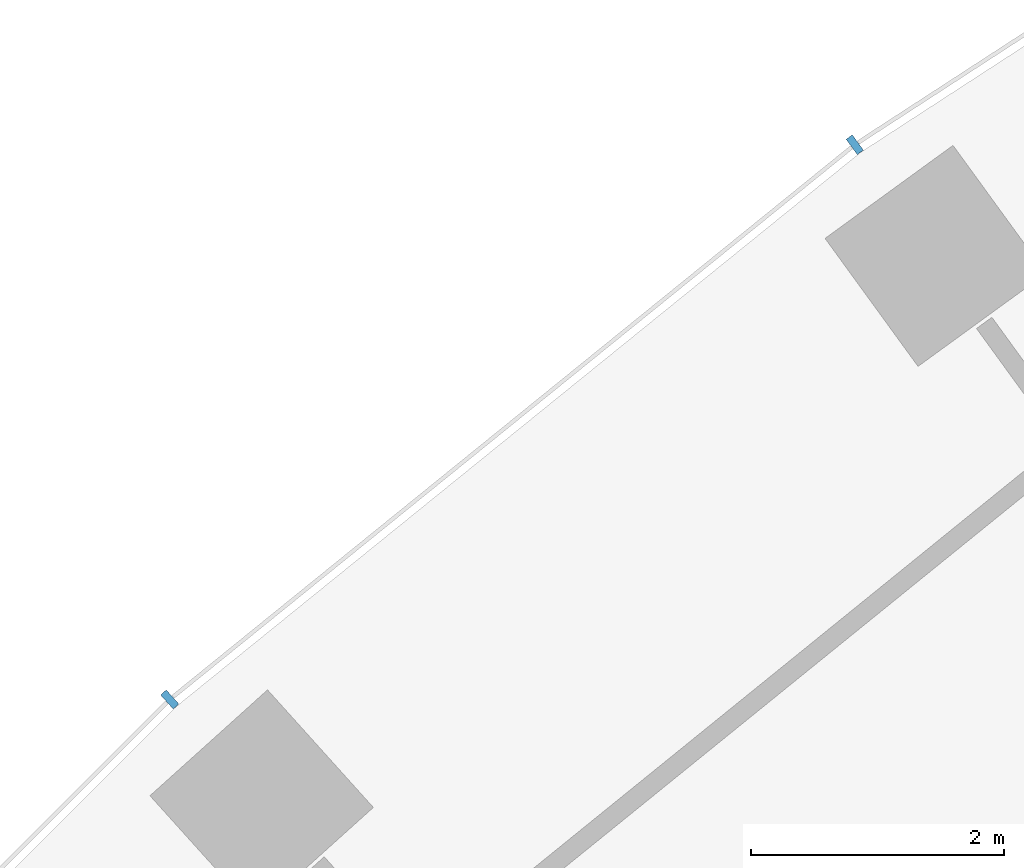
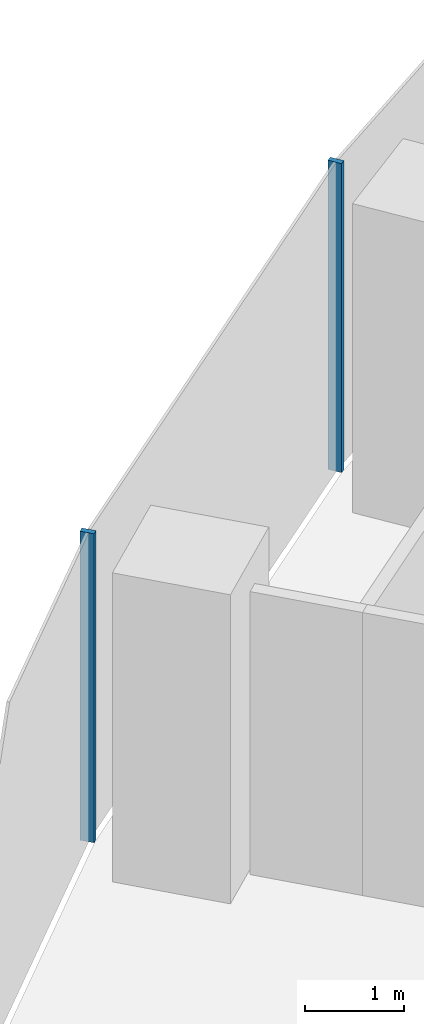
# One storey, part 4 of 21: 2 members, 1 element without a shape of its own.
"""IFC4 building model written with IfcOpenShell, lengths in metres."""

from ifc_helpers import new_model, si_unit, direction, frame, origin, origin_2d, place, context, subcontext, project, spatial, rectangle, extrude, material, layer, layer_set, material_profile, profile_set, type_object, element, aggregate, save


model = new_model("IFC4")

# Units and contexts
model_context = context("Model", 3, precision=1e-05, world=origin(), true_north=direction((0.0, 1.0)))
body_context = subcontext(model_context, "Body", "Model", "MODEL_VIEW")
ifc_project = project(units=[si_unit("LENGTHUNIT", "METRE"), si_unit("AREAUNIT", "SQUARE_METRE"), si_unit("VOLUMEUNIT", "CUBIC_METRE"), si_unit("PLANEANGLEUNIT", "RADIAN"), si_unit("MASSUNIT", "GRAM", prefix="KILO")], contexts=[model_context])

# Site, building, storey
site_placement = place(None, origin())
site = spatial("IfcSite", under=ifc_project, at=site_placement, CompositionType="ELEMENT")
building_placement = place(site_placement, origin())
building = spatial("IfcBuilding", under=site, at=building_placement, Name="Stone Belt Terrace Tower", CompositionType="ELEMENT")
storey_placement = place(building_placement, frame((0.0, 0.0, 33.800048828125)))
storey = spatial("IfcBuildingStorey", under=building, at=storey_placement, Name="L07", CompositionType="ELEMENT", Elevation=33.800048828125)

# Curtain wall, members
ifc_material = material(Name="Aluminium 6063-T6 anodised frame", Category="aluminium")
ifc_layer = layer(ifc_material, 0.14990234375)
ifc_layer_set = layer_set([ifc_layer], Name="CW-A unitised convex-face curtain wall")
curtain_wall_type = type_object("IfcCurtainWallType", Name="CW-A unitised convex-face curtain wall", PredefinedType="NOTDEFINED", material=ifc_layer_set)
curtain_wall_placement = place(storey_placement, origin())
curtain_wall = element("IfcCurtainWall", 1, at=curtain_wall_placement, inside=storey, type_object=curtain_wall_type, Name="CW-A convex face L07", PredefinedType="NOTDEFINED")
ifc_material_profile = material_profile(ifc_material, rectangle(XDim=0.14990234375, YDim=0.06005859375, at=origin_2d()), Name="Aluminium 6063-T6 60x150")
ifc_profile_set = profile_set([ifc_material_profile], Name="Aluminium 6063-T6 anodised frame")
member_type = type_object("IfcMemberType", Name="CW-A mullion 60 x 150", PredefinedType="MULLION", material=ifc_profile_set)
member_1_placement = place(storey_placement, frame((-39.1318359375, 53.8603515625, 0.0), z_axis=(0.0, 0.0, 1.0), x_axis=(0.587785252292, -0.809016994375, 0.0)))
member_1 = element("IfcMember", 2, at=member_1_placement, type_object=member_type, Name="CW-A mullion 16", PredefinedType="MULLION", context=body_context, shape_type="SweptSolid", body=[
    extrude(rectangle(XDim=0.14990234375, YDim=0.06005859375, at=origin_2d()), origin(), (0.0, 0.0, 1.0), 3.800048828125),
])
member_2_placement = place(storey_placement, frame((-44.54736328125, 49.474853515625, 0.0), z_axis=(0.0, 0.0, 1.0), x_axis=(0.669130606359, -0.743144825477, 0.0)))
member_2 = element("IfcMember", 3, at=member_2_placement, type_object=member_type, Name="CW-A mullion 17", PredefinedType="MULLION", context=body_context, shape_type="SweptSolid", body=[
    extrude(rectangle(XDim=0.14990234375, YDim=0.06005859375, at=origin_2d()), origin(), (0.0, 0.0, 1.0), 3.800048828125),
])
aggregate(curtain_wall, [member_1, member_2])

save(model, "model.ifc")
